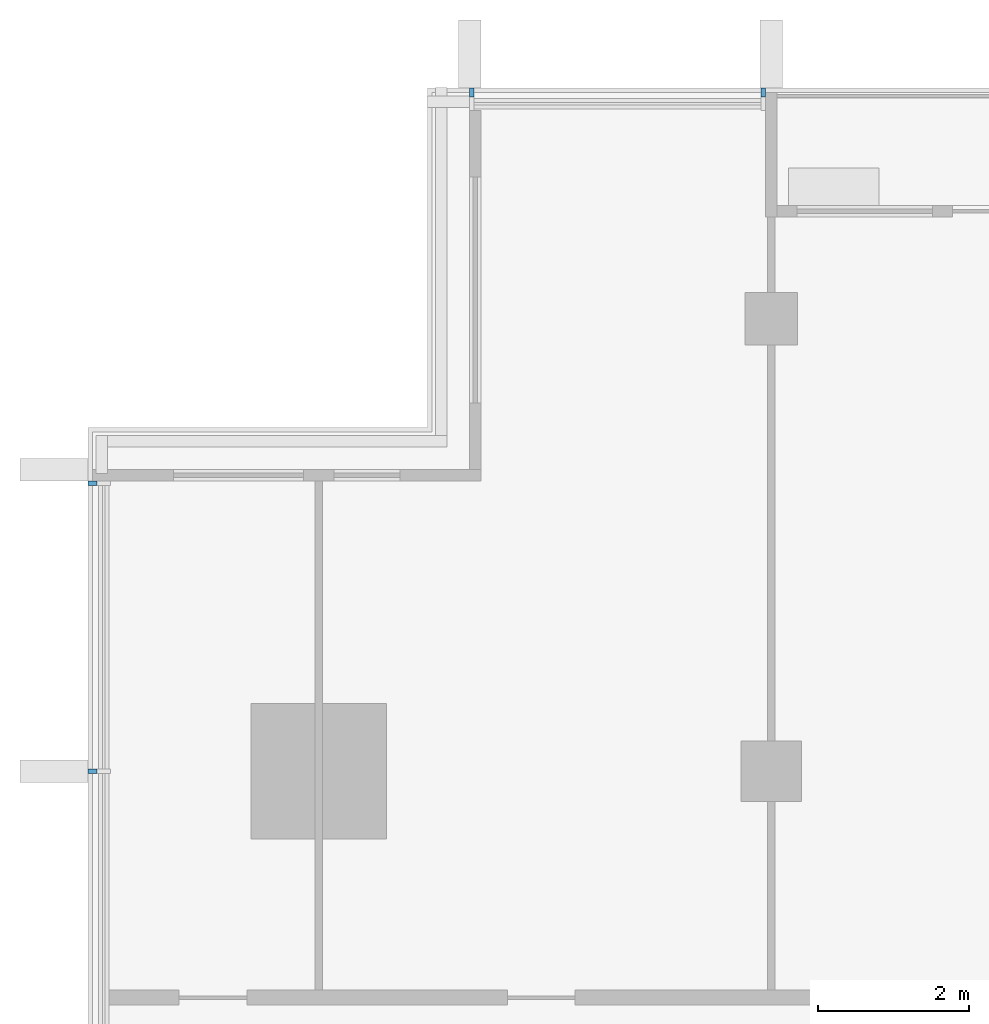
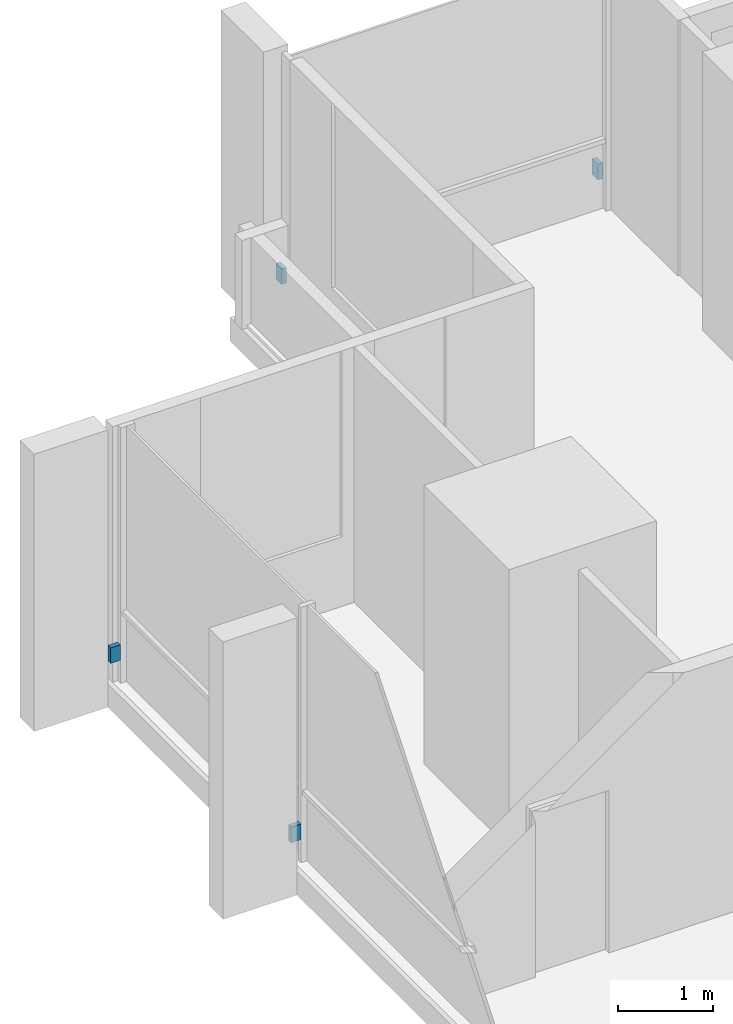
# One storey, part 14 of 16: 4 discrete accessories.
"""IFC4 building model written with IfcOpenShell, lengths in metres."""

from ifc_helpers import new_model, si_unit, direction, frame, origin, origin_2d, place, context, subcontext, project, spatial, rectangle, extrude, material, type_object, element, save


model = new_model("IFC4")

# Units and contexts
model_context = context("Model", 3, precision=1e-05, world=origin(), true_north=direction((0.0, 1.0)))
body_context = subcontext(model_context, "Body", "Model", "MODEL_VIEW")
ifc_project = project(units=[si_unit("LENGTHUNIT", "METRE"), si_unit("AREAUNIT", "SQUARE_METRE"), si_unit("VOLUMEUNIT", "CUBIC_METRE"), si_unit("PLANEANGLEUNIT", "RADIAN"), si_unit("MASSUNIT", "GRAM", prefix="KILO")], contexts=[model_context])

# Site, building, storey
site_placement = place(None, origin())
site = spatial("IfcSite", under=ifc_project, at=site_placement, CompositionType="ELEMENT")
building_placement = place(site_placement, origin())
building = spatial("IfcBuilding", under=site, at=building_placement, Name="Finial Court Residences", CompositionType="ELEMENT")
storey_placement = place(building_placement, frame((0.0, 0.0, 255.5)))
storey = spatial("IfcBuildingStorey", under=building, at=storey_placement, Name="L64", CompositionType="ELEMENT", Elevation=255.5)

# Discrete accessories
ifc_material = material(Name="Stainless steel 316", Category="steel")
discrete_accessory_type = type_object("IfcDiscreteAccessoryType", Name="Fin bracket, stainless steel 60 x 122 x 200", PredefinedType="BRACKET", material=ifc_material)
for number, where, z_axis, x_axis, name in (
    (1, (-14.469970703125, 16.498779296875, 0.2998046875), (0.0, 0.0, 1.0), (1.0, 0.0, 0.0), "E-L64-FIN-N1-BRK"),
    (2, (-10.60498046875, 16.498779296875, 0.2998046875), (0.0, 0.0, 1.0), (1.0, 0.0, 0.0), "E-L64-FIN-N2-BRK"),
):
    element("IfcDiscreteAccessory", number, at=place(storey_placement, frame(where, z_axis=z_axis, x_axis=x_axis)), inside=storey, type_object=discrete_accessory_type, Name=name, PredefinedType="BRACKET", context=body_context, shape_type="SweptSolid", body=[
        extrude(rectangle(XDim=0.06005859375, YDim=0.12255859375, at=origin_2d()), origin(), (0.0, 0.0, 1.0), 0.199951171875),
    ])
for number, where, z_axis, x_axis, name in (
    (3, (-19.498779296875, 7.5, 0.2998046875), (0.0, 0.0, 1.0), (1.0, 0.0, 0.0), "E-L64-FIN-W25-BRK"),
    (4, (-19.498779296875, 11.320068359375, 0.2998046875), (0.0, 0.0, 1.0), (1.0, 0.0, 0.0), "E-L64-FIN-W26-BRK"),
):
    element("IfcDiscreteAccessory", number, at=place(storey_placement, frame(where, z_axis=z_axis, x_axis=x_axis)), inside=storey, type_object=discrete_accessory_type, Name=name, PredefinedType="BRACKET", context=body_context, shape_type="SweptSolid", body=[
        extrude(rectangle(XDim=0.12255859375, YDim=0.06005859375, at=origin_2d()), origin(), (0.0, 0.0, 1.0), 0.199951171875),
    ])

save(model, "model.ifc")
